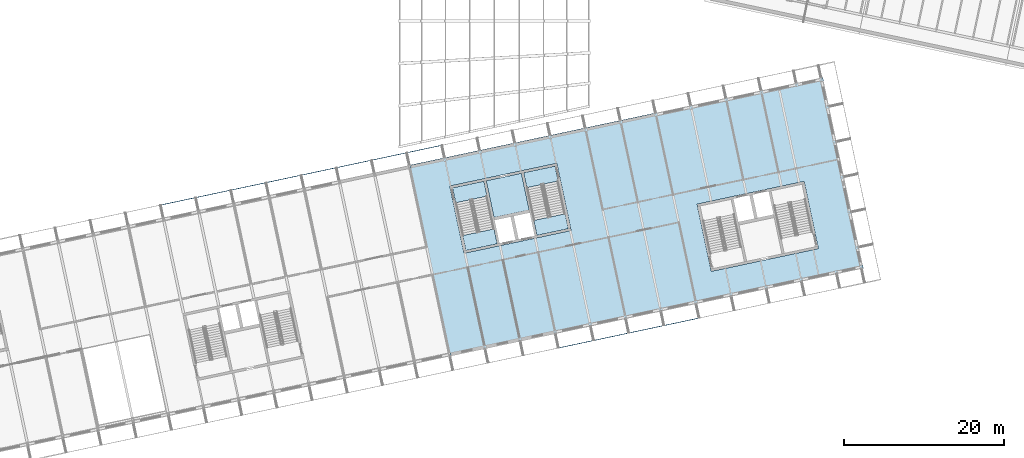
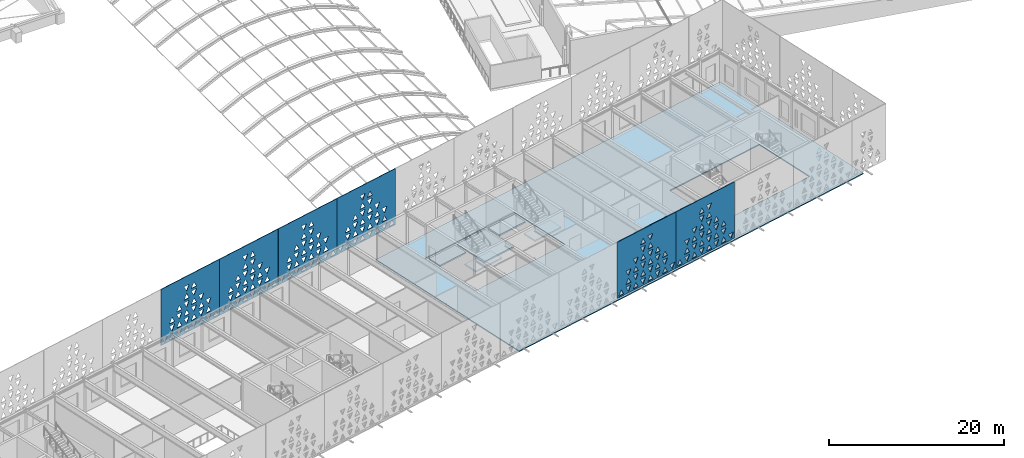
# One storey, part 109 of 196: 6 plates, 6 slabs, 2 elements without a shape of their own.
"""IFC4 building model written with IfcOpenShell, lengths in metres."""

from ifc_helpers import new_model, si_unit, direction, frame, origin, place, context, subcontext, project, spatial, polyline, outline, extrude, material, layer, layer_set, type_object, element, aggregate, save


model = new_model("IFC4")

# Units and contexts
model_context = context("Model", 3, precision=1e-05, world=origin(), true_north=direction((0.0, 1.0)))
body_context = subcontext(model_context, "Body", "Model", "MODEL_VIEW")
ifc_project = project(units=[si_unit("LENGTHUNIT", "METRE"), si_unit("AREAUNIT", "SQUARE_METRE"), si_unit("VOLUMEUNIT", "CUBIC_METRE"), si_unit("PLANEANGLEUNIT", "RADIAN"), si_unit("MASSUNIT", "GRAM", prefix="KILO")], contexts=[model_context])

# Site, building, storey
site_placement = place(None, origin())
site = spatial("IfcSite", under=ifc_project, at=site_placement, CompositionType="ELEMENT")
building_placement = place(site_placement, origin())
building = spatial("IfcBuilding", under=site, at=building_placement, Name="Okhra Congress Centre", CompositionType="ELEMENT")
storey_placement = place(building_placement, frame((0.0, 0.0, 12.0)))
storey = spatial("IfcBuildingStorey", under=building, at=storey_placement, Name="L02", CompositionType="ELEMENT", Elevation=12.0)

# Slabs
ifc_material_1 = material(Name="Concrete C30/37 on profiled steel deck", Category="concrete")
ifc_layer_1 = layer(ifc_material_1, 0.14990234375)
ifc_layer_set_1 = layer_set([ifc_layer_1], Name="Composite floor deck 150 REI 120 C30/37")
slab_type_1 = type_object("IfcSlabType", Name="Composite floor deck 150 REI 120 C30/37", PredefinedType="FLOOR", material=ifc_layer_set_1)
slab_1_placement = place(storey_placement, frame((0.0, 0.0, -0.14990234375)))
element("IfcSlab", 1, at=slab_1_placement, inside=storey, type_object=slab_type_1, Name="Floor slab L02 bay 3", PredefinedType="FLOOR", context=body_context, shape_type="SweptSolid", body=[
    extrude(outline(polyline([(161.6630859375, 72.9697265625), (166.74658203125, 49.053955078125), (218.441650390625, 60.042236328125), (213.3583984375, 83.957763671875), (161.6630859375, 72.9697265625)]), holes=[polyline([(181.855224609375, 64.7890625), (180.067138671875, 73.201171875), (166.66650390625, 70.352783203125), (168.45458984375, 61.940673828125), (181.855224609375, 64.7890625)]), polyline([(199.40185546875, 59.675537109375), (212.802490234375, 62.52392578125), (211.014404296875, 70.93603515625), (197.61376953125, 68.087646484375), (199.40185546875, 59.675537109375)])]), origin(), (0.0, 0.0, 1.0), 0.14990234375),
])
ifc_material_2 = material(Name="Concrete C30/37", Category="concrete")
ifc_layer_2 = layer(ifc_material_2, 0.199951171875)
ifc_layer_set_2 = layer_set([ifc_layer_2], Name="RC floor slab 200 REI 120 C30/37")
slab_type_2 = type_object("IfcSlabType", Name="RC floor slab 200 REI 120 C30/37", PredefinedType="FLOOR", material=ifc_layer_set_2)
slab_2_placement = place(storey_placement, frame((0.0, 0.0, -0.199951171875)))
element("IfcSlab", 2, at=slab_2_placement, inside=storey, type_object=slab_type_2, Name="Stair floor landing 4A L02", PredefinedType="FLOOR", context=body_context, shape_type="SweptSolid", body=[
    extrude(outline(polyline([(167.0166015625, 70.12548828125), (170.93896484375, 70.959228515625), (171.3359375, 69.091064453125), (167.41357421875, 68.25732421875), (167.0166015625, 70.12548828125)])), origin(), (0.0, 0.0, 1.0), 0.199951171875),
])
slab_3_placement = place(storey_placement, frame((0.0, 0.0, -0.199951171875)))
element("IfcSlab", 3, at=slab_3_placement, inside=storey, type_object=slab_type_2, Name="Stair floor landing 4B L02", PredefinedType="FLOOR", context=body_context, shape_type="SweptSolid", body=[
    extrude(outline(polyline([(175.917724609375, 72.017578125), (179.840087890625, 72.851318359375), (180.237060546875, 70.983154296875), (176.314697265625, 70.1494140625), (175.917724609375, 72.017578125)])), origin(), (0.0, 0.0, 1.0), 0.199951171875),
])
slab_4_placement = place(storey_placement, frame((0.0, 0.0, -0.199951171875)))
element("IfcSlab", 4, at=slab_4_placement, inside=storey, type_object=slab_type_2, Name="Riser room floor 4 L02", PredefinedType="FLOOR", context=body_context, shape_type="SweptSolid", body=[
    extrude(outline(polyline([(172.20556640625, 66.41845703125), (176.607421875, 67.35400390625), (175.630126953125, 71.951416015625), (171.228515625, 71.015869140625), (172.20556640625, 66.41845703125)])), origin(), (0.0, 0.0, 1.0), 0.199951171875),
])

# Stair, slab
stair_type = type_object("IfcStairType", Name="Escape stair 1900 wide, 30 risers of 160.0", PredefinedType="HALF_TURN_STAIR", material=ifc_material_2)
stair_1_placement = place(storey_placement, origin())
stair_1 = element("IfcStair", 5, at=stair_1_placement, inside=storey, type_object=stair_type, Name="L02 Escape stair 4A", PredefinedType="HALF_TURN_STAIR")
ifc_layer_3 = layer(ifc_material_2, 0.199951171875)
ifc_layer_set_3 = layer_set([ifc_layer_3], Name="RC stair landing 200 C30/37")
slab_type_3 = type_object("IfcSlabType", Name="RC stair landing 200 C30/37", PredefinedType="LANDING", material=ifc_layer_set_3)
slab_5_placement = place(storey_placement, frame((0.0, 0.0, 2.199951171875)))
slab_5 = element("IfcSlab", 6, at=slab_5_placement, type_object=slab_type_3, Name="BS4A landing 1", PredefinedType="LANDING", context=body_context, shape_type="SweptSolid", body=[
    extrude(outline(polyline([(168.28466796875, 64.158935546875), (172.20703125, 64.99267578125), (172.604248046875, 63.124267578125), (168.681884765625, 62.29052734375), (168.28466796875, 64.158935546875)])), origin(), (0.0, 0.0, 1.0), 0.199951171875),
])
aggregate(stair_1, [slab_5])

stair_2_placement = place(storey_placement, origin())
stair_2 = element("IfcStair", 7, at=stair_2_placement, inside=storey, type_object=stair_type, Name="L02 Escape stair 4B", PredefinedType="HALF_TURN_STAIR")
slab_6_placement = place(storey_placement, frame((0.0, 0.0, 2.199951171875)))
slab_6 = element("IfcSlab", 8, at=slab_6_placement, type_object=slab_type_3, Name="BS4B landing 1", PredefinedType="LANDING", context=body_context, shape_type="SweptSolid", body=[
    extrude(outline(polyline([(177.185791015625, 66.05078125), (181.108154296875, 66.884521484375), (181.50537109375, 65.016357421875), (177.5830078125, 64.1826171875), (177.185791015625, 66.05078125)])), origin(), (0.0, 0.0, 1.0), 0.199951171875),
])
aggregate(stair_2, [slab_6])

# Plates
ifc_material_3 = material(Name="Fired clay terracotta rainscreen panel, deep oxide-red glaze, non-combustible", Category="masonry")
ifc_layer_4 = layer(ifc_material_3, 0.080078125)
ifc_layer_set_4 = layer_set([ifc_layer_4], Name="Terracotta screen panel 8980x7840")
plate_type = type_object("IfcPlateType", Name="Terracotta screen panel 8980x7840", PredefinedType="SHEET", material=ifc_layer_set_4)
plate_1_placement = place(storey_placement, frame((180.28662109375, 50.091796875, 1.949951171875), z_axis=(0.0, 0.0, 1.0), x_axis=(0.978145237251, 0.207922809819, 0.0)))
element("IfcPlate", 9, at=plate_1_placement, inside=storey, type_object=plate_type, Name="Screen panel S15 Tier 2", PredefinedType="SHEET", context=body_context, shape_type="SweptSolid", body=[
    extrude(outline(polyline([(0.0, 0.0), (8.980224609375, 0.0), (8.980224609375, 7.840087890625), (0.0, 7.840087890625), (0.0, 0.0)]), holes=[polyline([(0.176513671875, 0.183837890625), (0.943603515625, 0.183837890625), (0.56005859375, 0.93603515625), (0.176513671875, 0.183837890625)]), polyline([(1.29638671875, 0.93603515625), (1.679931640625, 0.183837890625), (2.0634765625, 0.93603515625), (1.29638671875, 0.93603515625)]), polyline([(2.41650390625, 0.183837890625), (3.18359375, 0.183837890625), (2.800048828125, 0.93603515625), (2.41650390625, 0.183837890625)]), polyline([(3.536376953125, 0.93603515625), (3.919921875, 0.183837890625), (4.3037109375, 0.93603515625), (3.536376953125, 0.93603515625)]), polyline([(4.656494140625, 0.183837890625), (5.423583984375, 0.183837890625), (5.0400390625, 0.93603515625), (4.656494140625, 0.183837890625)]), polyline([(5.7763671875, 0.93603515625), (6.159912109375, 0.183837890625), (6.543701171875, 0.93603515625), (5.7763671875, 0.93603515625)]), polyline([(6.896484375, 0.183837890625), (7.66357421875, 0.183837890625), (7.280029296875, 0.93603515625), (6.896484375, 0.183837890625)]), polyline([(8.016357421875, 0.93603515625), (8.39990234375, 0.183837890625), (8.78369140625, 0.93603515625), (8.016357421875, 0.93603515625)]), polyline([(1.29638671875, 1.303955078125), (2.0634765625, 1.303955078125), (1.679931640625, 2.05615234375), (1.29638671875, 1.303955078125)]), polyline([(2.41650390625, 2.05615234375), (2.800048828125, 1.303955078125), (3.18359375, 2.05615234375), (2.41650390625, 2.05615234375)]), polyline([(3.536376953125, 1.303955078125), (4.3037109375, 1.303955078125), (3.919921875, 2.05615234375), (3.536376953125, 1.303955078125)]), polyline([(4.656494140625, 2.05615234375), (5.0400390625, 1.303955078125), (5.423583984375, 2.05615234375), (4.656494140625, 2.05615234375)]), polyline([(5.7763671875, 1.303955078125), (6.543701171875, 1.303955078125), (6.159912109375, 2.05615234375), (5.7763671875, 1.303955078125)]), polyline([(6.896484375, 2.05615234375), (7.280029296875, 1.303955078125), (7.66357421875, 2.05615234375), (6.896484375, 2.05615234375)]), polyline([(1.29638671875, 3.176025390625), (1.679931640625, 2.423828125), (2.0634765625, 3.176025390625), (1.29638671875, 3.176025390625)]), polyline([(2.41650390625, 2.423828125), (3.18359375, 2.423828125), (2.800048828125, 3.176025390625), (2.41650390625, 2.423828125)]), polyline([(3.536376953125, 3.176025390625), (3.919921875, 2.423828125), (4.3037109375, 3.176025390625), (3.536376953125, 3.176025390625)]), polyline([(4.656494140625, 2.423828125), (5.423583984375, 2.423828125), (5.0400390625, 3.176025390625), (4.656494140625, 2.423828125)]), polyline([(5.7763671875, 3.176025390625), (6.159912109375, 2.423828125), (6.543701171875, 3.176025390625), (5.7763671875, 3.176025390625)]), polyline([(6.896484375, 2.423828125), (7.66357421875, 2.423828125), (7.280029296875, 3.176025390625), (6.896484375, 2.423828125)]), polyline([(2.41650390625, 4.296142578125), (2.800048828125, 3.5439453125), (3.18359375, 4.296142578125), (2.41650390625, 4.296142578125)]), polyline([(3.536376953125, 3.5439453125), (4.3037109375, 3.5439453125), (3.919921875, 4.296142578125), (3.536376953125, 3.5439453125)]), polyline([(4.656494140625, 4.296142578125), (5.0400390625, 3.5439453125), (5.423583984375, 4.296142578125), (4.656494140625, 4.296142578125)]), polyline([(5.7763671875, 3.5439453125), (6.543701171875, 3.5439453125), (6.159912109375, 4.296142578125), (5.7763671875, 3.5439453125)]), polyline([(3.536376953125, 5.416015625), (3.919921875, 4.663818359375), (4.3037109375, 5.416015625), (3.536376953125, 5.416015625)]), polyline([(4.656494140625, 4.663818359375), (5.423583984375, 4.663818359375), (5.0400390625, 5.416015625), (4.656494140625, 4.663818359375)]), polyline([(3.536376953125, 5.783935546875), (4.3037109375, 5.783935546875), (3.919921875, 6.5361328125), (3.536376953125, 5.783935546875)]), polyline([(4.656494140625, 6.5361328125), (5.0400390625, 5.783935546875), (5.423583984375, 6.5361328125), (4.656494140625, 6.5361328125)])]), frame((0.0, 0.0400390625, 0.0), z_axis=(0.0, -1.0, 0.0), x_axis=(1.0, 0.0, 0.0)), (0.0, 0.0, 1.0), 0.080078125),
])
plate_2_placement = place(storey_placement, frame((189.090087890625, 51.963134765625, 1.949951171875), z_axis=(0.0, 0.0, 1.0), x_axis=(0.978149591018, 0.207902327047, 0.0)))
element("IfcPlate", 10, at=plate_2_placement, inside=storey, type_object=plate_type, Name="Screen panel S16 Tier 2", PredefinedType="SHEET", context=body_context, shape_type="SweptSolid", body=[
    extrude(outline(polyline([(0.0, 0.0), (8.97998046875, 0.0), (8.97998046875, 7.840087890625), (0.0, 7.840087890625), (0.0, 0.0)]), holes=[polyline([(0.176513671875, 0.183837890625), (0.943603515625, 0.183837890625), (0.56005859375, 0.93603515625), (0.176513671875, 0.183837890625)]), polyline([(1.29638671875, 0.93603515625), (1.679931640625, 0.183837890625), (2.0634765625, 0.93603515625), (1.29638671875, 0.93603515625)]), polyline([(2.41650390625, 0.183837890625), (3.18359375, 0.183837890625), (2.800048828125, 0.93603515625), (2.41650390625, 0.183837890625)]), polyline([(3.536376953125, 0.93603515625), (3.919921875, 0.183837890625), (4.3037109375, 0.93603515625), (3.536376953125, 0.93603515625)]), polyline([(4.656494140625, 0.183837890625), (5.423583984375, 0.183837890625), (5.0400390625, 0.93603515625), (4.656494140625, 0.183837890625)]), polyline([(5.7763671875, 0.93603515625), (6.159912109375, 0.183837890625), (6.543701171875, 0.93603515625), (5.7763671875, 0.93603515625)]), polyline([(6.896484375, 0.183837890625), (7.66357421875, 0.183837890625), (7.280029296875, 0.93603515625), (6.896484375, 0.183837890625)]), polyline([(8.016357421875, 0.93603515625), (8.39990234375, 0.183837890625), (8.78369140625, 0.93603515625), (8.016357421875, 0.93603515625)]), polyline([(1.29638671875, 1.303955078125), (2.0634765625, 1.303955078125), (1.679931640625, 2.05615234375), (1.29638671875, 1.303955078125)]), polyline([(2.41650390625, 2.05615234375), (2.800048828125, 1.303955078125), (3.18359375, 2.05615234375), (2.41650390625, 2.05615234375)]), polyline([(3.536376953125, 1.303955078125), (4.3037109375, 1.303955078125), (3.919921875, 2.05615234375), (3.536376953125, 1.303955078125)]), polyline([(4.656494140625, 2.05615234375), (5.0400390625, 1.303955078125), (5.423583984375, 2.05615234375), (4.656494140625, 2.05615234375)]), polyline([(5.7763671875, 1.303955078125), (6.543701171875, 1.303955078125), (6.159912109375, 2.05615234375), (5.7763671875, 1.303955078125)]), polyline([(6.896484375, 2.05615234375), (7.280029296875, 1.303955078125), (7.66357421875, 2.05615234375), (6.896484375, 2.05615234375)]), polyline([(1.29638671875, 3.176025390625), (1.679931640625, 2.423828125), (2.0634765625, 3.176025390625), (1.29638671875, 3.176025390625)]), polyline([(2.41650390625, 2.423828125), (3.18359375, 2.423828125), (2.800048828125, 3.176025390625), (2.41650390625, 2.423828125)]), polyline([(3.536376953125, 3.176025390625), (3.919921875, 2.423828125), (4.3037109375, 3.176025390625), (3.536376953125, 3.176025390625)]), polyline([(4.656494140625, 2.423828125), (5.423583984375, 2.423828125), (5.0400390625, 3.176025390625), (4.656494140625, 2.423828125)]), polyline([(5.7763671875, 3.176025390625), (6.159912109375, 2.423828125), (6.543701171875, 3.176025390625), (5.7763671875, 3.176025390625)]), polyline([(6.896484375, 2.423828125), (7.66357421875, 2.423828125), (7.280029296875, 3.176025390625), (6.896484375, 2.423828125)]), polyline([(2.41650390625, 4.296142578125), (2.800048828125, 3.5439453125), (3.18359375, 4.296142578125), (2.41650390625, 4.296142578125)]), polyline([(3.536376953125, 3.5439453125), (4.3037109375, 3.5439453125), (3.919921875, 4.296142578125), (3.536376953125, 3.5439453125)]), polyline([(4.656494140625, 4.296142578125), (5.0400390625, 3.5439453125), (5.423583984375, 4.296142578125), (4.656494140625, 4.296142578125)]), polyline([(5.7763671875, 3.5439453125), (6.543701171875, 3.5439453125), (6.159912109375, 4.296142578125), (5.7763671875, 3.5439453125)]), polyline([(3.536376953125, 5.416015625), (3.919921875, 4.663818359375), (4.3037109375, 5.416015625), (3.536376953125, 5.416015625)]), polyline([(4.656494140625, 4.663818359375), (5.423583984375, 4.663818359375), (5.0400390625, 5.416015625), (4.656494140625, 4.663818359375)]), polyline([(3.536376953125, 5.783935546875), (4.3037109375, 5.783935546875), (3.919921875, 6.5361328125), (3.536376953125, 5.783935546875)]), polyline([(4.656494140625, 6.5361328125), (5.0400390625, 5.783935546875), (5.423583984375, 6.5361328125), (4.656494140625, 6.5361328125)])]), frame((0.0, 0.0400390625, 0.0), z_axis=(0.0, -1.0, 0.0), x_axis=(1.0, 0.0, 0.0)), (0.0, 0.0, 1.0), 0.080078125),
])
plate_3_placement = place(storey_placement, frame((165.673583984375, 75.457763671875, 1.949951171875), z_axis=(0.0, 0.0, 1.0), x_axis=(-0.978150766104, -0.207896798366, 0.0)))
element("IfcPlate", 11, at=plate_3_placement, inside=storey, type_object=plate_type, Name="Screen panel N7 Tier 2", PredefinedType="SHEET", context=body_context, shape_type="SweptSolid", body=[
    extrude(outline(polyline([(0.0, 0.0), (8.980224609375, 0.0), (8.980224609375, 7.840087890625), (0.0, 7.840087890625), (0.0, 0.0)]), holes=[polyline([(0.176513671875, 0.183837890625), (0.943603515625, 0.183837890625), (0.56005859375, 0.93603515625), (0.176513671875, 0.183837890625)]), polyline([(1.29638671875, 0.93603515625), (1.679931640625, 0.183837890625), (2.0634765625, 0.93603515625), (1.29638671875, 0.93603515625)]), polyline([(2.41650390625, 0.183837890625), (3.18359375, 0.183837890625), (2.800048828125, 0.93603515625), (2.41650390625, 0.183837890625)]), polyline([(3.536376953125, 0.93603515625), (3.919921875, 0.183837890625), (4.3037109375, 0.93603515625), (3.536376953125, 0.93603515625)]), polyline([(4.656494140625, 0.183837890625), (5.423583984375, 0.183837890625), (5.0400390625, 0.93603515625), (4.656494140625, 0.183837890625)]), polyline([(5.7763671875, 0.93603515625), (6.159912109375, 0.183837890625), (6.543701171875, 0.93603515625), (5.7763671875, 0.93603515625)]), polyline([(6.896484375, 0.183837890625), (7.66357421875, 0.183837890625), (7.280029296875, 0.93603515625), (6.896484375, 0.183837890625)]), polyline([(8.016357421875, 0.93603515625), (8.39990234375, 0.183837890625), (8.78369140625, 0.93603515625), (8.016357421875, 0.93603515625)]), polyline([(1.29638671875, 1.303955078125), (2.0634765625, 1.303955078125), (1.679931640625, 2.05615234375), (1.29638671875, 1.303955078125)]), polyline([(2.41650390625, 2.05615234375), (2.800048828125, 1.303955078125), (3.18359375, 2.05615234375), (2.41650390625, 2.05615234375)]), polyline([(3.536376953125, 1.303955078125), (4.3037109375, 1.303955078125), (3.919921875, 2.05615234375), (3.536376953125, 1.303955078125)]), polyline([(4.656494140625, 2.05615234375), (5.0400390625, 1.303955078125), (5.423583984375, 2.05615234375), (4.656494140625, 2.05615234375)]), polyline([(5.7763671875, 1.303955078125), (6.543701171875, 1.303955078125), (6.159912109375, 2.05615234375), (5.7763671875, 1.303955078125)]), polyline([(6.896484375, 2.05615234375), (7.280029296875, 1.303955078125), (7.66357421875, 2.05615234375), (6.896484375, 2.05615234375)]), polyline([(1.29638671875, 3.176025390625), (1.679931640625, 2.423828125), (2.0634765625, 3.176025390625), (1.29638671875, 3.176025390625)]), polyline([(2.41650390625, 2.423828125), (3.18359375, 2.423828125), (2.800048828125, 3.176025390625), (2.41650390625, 2.423828125)]), polyline([(3.536376953125, 3.176025390625), (3.919921875, 2.423828125), (4.3037109375, 3.176025390625), (3.536376953125, 3.176025390625)]), polyline([(4.656494140625, 2.423828125), (5.423583984375, 2.423828125), (5.0400390625, 3.176025390625), (4.656494140625, 2.423828125)]), polyline([(5.7763671875, 3.176025390625), (6.159912109375, 2.423828125), (6.543701171875, 3.176025390625), (5.7763671875, 3.176025390625)]), polyline([(6.896484375, 2.423828125), (7.66357421875, 2.423828125), (7.280029296875, 3.176025390625), (6.896484375, 2.423828125)]), polyline([(2.41650390625, 4.296142578125), (2.800048828125, 3.5439453125), (3.18359375, 4.296142578125), (2.41650390625, 4.296142578125)]), polyline([(3.536376953125, 3.5439453125), (4.3037109375, 3.5439453125), (3.919921875, 4.296142578125), (3.536376953125, 3.5439453125)]), polyline([(4.656494140625, 4.296142578125), (5.0400390625, 3.5439453125), (5.423583984375, 4.296142578125), (4.656494140625, 4.296142578125)]), polyline([(5.7763671875, 3.5439453125), (6.543701171875, 3.5439453125), (6.159912109375, 4.296142578125), (5.7763671875, 3.5439453125)]), polyline([(3.536376953125, 5.416015625), (3.919921875, 4.663818359375), (4.3037109375, 5.416015625), (3.536376953125, 5.416015625)]), polyline([(4.656494140625, 4.663818359375), (5.423583984375, 4.663818359375), (5.0400390625, 5.416015625), (4.656494140625, 4.663818359375)]), polyline([(3.536376953125, 5.783935546875), (4.3037109375, 5.783935546875), (3.919921875, 6.5361328125), (3.536376953125, 5.783935546875)]), polyline([(4.656494140625, 6.5361328125), (5.0400390625, 5.783935546875), (5.423583984375, 6.5361328125), (4.656494140625, 6.5361328125)])]), frame((0.0, 0.0400390625, 0.0), z_axis=(0.0, -1.0, 0.0), x_axis=(1.0, 0.0, 0.0)), (0.0, 0.0, 1.0), 0.080078125),
])
plate_4_placement = place(storey_placement, frame((156.8701171875, 73.586669921875, 1.949951171875), z_axis=(0.0, 0.0, 1.0), x_axis=(-0.978149591018, -0.207902327047, 0.0)))
element("IfcPlate", 12, at=plate_4_placement, inside=storey, type_object=plate_type, Name="Screen panel N8 Tier 2", PredefinedType="SHEET", context=body_context, shape_type="SweptSolid", body=[
    extrude(outline(polyline([(0.0, 0.0), (8.97998046875, 0.0), (8.97998046875, 7.840087890625), (0.0, 7.840087890625), (0.0, 0.0)]), holes=[polyline([(0.176513671875, 0.183837890625), (0.943603515625, 0.183837890625), (0.56005859375, 0.93603515625), (0.176513671875, 0.183837890625)]), polyline([(1.29638671875, 0.93603515625), (1.679931640625, 0.183837890625), (2.0634765625, 0.93603515625), (1.29638671875, 0.93603515625)]), polyline([(2.41650390625, 0.183837890625), (3.18359375, 0.183837890625), (2.800048828125, 0.93603515625), (2.41650390625, 0.183837890625)]), polyline([(3.536376953125, 0.93603515625), (3.919921875, 0.183837890625), (4.3037109375, 0.93603515625), (3.536376953125, 0.93603515625)]), polyline([(4.656494140625, 0.183837890625), (5.423583984375, 0.183837890625), (5.0400390625, 0.93603515625), (4.656494140625, 0.183837890625)]), polyline([(5.7763671875, 0.93603515625), (6.159912109375, 0.183837890625), (6.543701171875, 0.93603515625), (5.7763671875, 0.93603515625)]), polyline([(6.896484375, 0.183837890625), (7.66357421875, 0.183837890625), (7.280029296875, 0.93603515625), (6.896484375, 0.183837890625)]), polyline([(8.016357421875, 0.93603515625), (8.39990234375, 0.183837890625), (8.78369140625, 0.93603515625), (8.016357421875, 0.93603515625)]), polyline([(1.29638671875, 1.303955078125), (2.0634765625, 1.303955078125), (1.679931640625, 2.05615234375), (1.29638671875, 1.303955078125)]), polyline([(2.41650390625, 2.05615234375), (2.800048828125, 1.303955078125), (3.18359375, 2.05615234375), (2.41650390625, 2.05615234375)]), polyline([(3.536376953125, 1.303955078125), (4.3037109375, 1.303955078125), (3.919921875, 2.05615234375), (3.536376953125, 1.303955078125)]), polyline([(4.656494140625, 2.05615234375), (5.0400390625, 1.303955078125), (5.423583984375, 2.05615234375), (4.656494140625, 2.05615234375)]), polyline([(5.7763671875, 1.303955078125), (6.543701171875, 1.303955078125), (6.159912109375, 2.05615234375), (5.7763671875, 1.303955078125)]), polyline([(6.896484375, 2.05615234375), (7.280029296875, 1.303955078125), (7.66357421875, 2.05615234375), (6.896484375, 2.05615234375)]), polyline([(1.29638671875, 3.176025390625), (1.679931640625, 2.423828125), (2.0634765625, 3.176025390625), (1.29638671875, 3.176025390625)]), polyline([(2.41650390625, 2.423828125), (3.18359375, 2.423828125), (2.800048828125, 3.176025390625), (2.41650390625, 2.423828125)]), polyline([(3.536376953125, 3.176025390625), (3.919921875, 2.423828125), (4.3037109375, 3.176025390625), (3.536376953125, 3.176025390625)]), polyline([(4.656494140625, 2.423828125), (5.423583984375, 2.423828125), (5.0400390625, 3.176025390625), (4.656494140625, 2.423828125)]), polyline([(5.7763671875, 3.176025390625), (6.159912109375, 2.423828125), (6.543701171875, 3.176025390625), (5.7763671875, 3.176025390625)]), polyline([(6.896484375, 2.423828125), (7.66357421875, 2.423828125), (7.280029296875, 3.176025390625), (6.896484375, 2.423828125)]), polyline([(2.41650390625, 4.296142578125), (2.800048828125, 3.5439453125), (3.18359375, 4.296142578125), (2.41650390625, 4.296142578125)]), polyline([(3.536376953125, 3.5439453125), (4.3037109375, 3.5439453125), (3.919921875, 4.296142578125), (3.536376953125, 3.5439453125)]), polyline([(4.656494140625, 4.296142578125), (5.0400390625, 3.5439453125), (5.423583984375, 4.296142578125), (4.656494140625, 4.296142578125)]), polyline([(5.7763671875, 3.5439453125), (6.543701171875, 3.5439453125), (6.159912109375, 4.296142578125), (5.7763671875, 3.5439453125)]), polyline([(3.536376953125, 5.416015625), (3.919921875, 4.663818359375), (4.3037109375, 5.416015625), (3.536376953125, 5.416015625)]), polyline([(4.656494140625, 4.663818359375), (5.423583984375, 4.663818359375), (5.0400390625, 5.416015625), (4.656494140625, 4.663818359375)]), polyline([(3.536376953125, 5.783935546875), (4.3037109375, 5.783935546875), (3.919921875, 6.5361328125), (3.536376953125, 5.783935546875)]), polyline([(4.656494140625, 6.5361328125), (5.0400390625, 5.783935546875), (5.423583984375, 6.5361328125), (4.656494140625, 6.5361328125)])]), frame((0.0, 0.0400390625, 0.0), z_axis=(0.0, -1.0, 0.0), x_axis=(1.0, 0.0, 0.0)), (0.0, 0.0, 1.0), 0.080078125),
])
plate_5_placement = place(storey_placement, frame((148.06689453125, 71.715576171875, 1.949951171875), z_axis=(0.0, 0.0, 1.0), x_axis=(-0.978145237251, -0.207922809819, 0.0)))
element("IfcPlate", 13, at=plate_5_placement, inside=storey, type_object=plate_type, Name="Screen panel N9 Tier 2", PredefinedType="SHEET", context=body_context, shape_type="SweptSolid", body=[
    extrude(outline(polyline([(0.0, 0.0), (8.980224609375, 0.0), (8.980224609375, 7.840087890625), (0.0, 7.840087890625), (0.0, 0.0)]), holes=[polyline([(0.176513671875, 0.183837890625), (0.943603515625, 0.183837890625), (0.56005859375, 0.93603515625), (0.176513671875, 0.183837890625)]), polyline([(1.29638671875, 0.93603515625), (1.679931640625, 0.183837890625), (2.0634765625, 0.93603515625), (1.29638671875, 0.93603515625)]), polyline([(2.41650390625, 0.183837890625), (3.18359375, 0.183837890625), (2.800048828125, 0.93603515625), (2.41650390625, 0.183837890625)]), polyline([(3.536376953125, 0.93603515625), (3.919921875, 0.183837890625), (4.3037109375, 0.93603515625), (3.536376953125, 0.93603515625)]), polyline([(4.656494140625, 0.183837890625), (5.423583984375, 0.183837890625), (5.0400390625, 0.93603515625), (4.656494140625, 0.183837890625)]), polyline([(5.7763671875, 0.93603515625), (6.159912109375, 0.183837890625), (6.543701171875, 0.93603515625), (5.7763671875, 0.93603515625)]), polyline([(6.896484375, 0.183837890625), (7.66357421875, 0.183837890625), (7.280029296875, 0.93603515625), (6.896484375, 0.183837890625)]), polyline([(8.016357421875, 0.93603515625), (8.39990234375, 0.183837890625), (8.78369140625, 0.93603515625), (8.016357421875, 0.93603515625)]), polyline([(1.29638671875, 1.303955078125), (2.0634765625, 1.303955078125), (1.679931640625, 2.05615234375), (1.29638671875, 1.303955078125)]), polyline([(2.41650390625, 2.05615234375), (2.800048828125, 1.303955078125), (3.18359375, 2.05615234375), (2.41650390625, 2.05615234375)]), polyline([(3.536376953125, 1.303955078125), (4.3037109375, 1.303955078125), (3.919921875, 2.05615234375), (3.536376953125, 1.303955078125)]), polyline([(4.656494140625, 2.05615234375), (5.0400390625, 1.303955078125), (5.423583984375, 2.05615234375), (4.656494140625, 2.05615234375)]), polyline([(5.7763671875, 1.303955078125), (6.543701171875, 1.303955078125), (6.159912109375, 2.05615234375), (5.7763671875, 1.303955078125)]), polyline([(6.896484375, 2.05615234375), (7.280029296875, 1.303955078125), (7.66357421875, 2.05615234375), (6.896484375, 2.05615234375)]), polyline([(1.29638671875, 3.176025390625), (1.679931640625, 2.423828125), (2.0634765625, 3.176025390625), (1.29638671875, 3.176025390625)]), polyline([(2.41650390625, 2.423828125), (3.18359375, 2.423828125), (2.800048828125, 3.176025390625), (2.41650390625, 2.423828125)]), polyline([(3.536376953125, 3.176025390625), (3.919921875, 2.423828125), (4.3037109375, 3.176025390625), (3.536376953125, 3.176025390625)]), polyline([(4.656494140625, 2.423828125), (5.423583984375, 2.423828125), (5.0400390625, 3.176025390625), (4.656494140625, 2.423828125)]), polyline([(5.7763671875, 3.176025390625), (6.159912109375, 2.423828125), (6.543701171875, 3.176025390625), (5.7763671875, 3.176025390625)]), polyline([(6.896484375, 2.423828125), (7.66357421875, 2.423828125), (7.280029296875, 3.176025390625), (6.896484375, 2.423828125)]), polyline([(2.41650390625, 4.296142578125), (2.800048828125, 3.5439453125), (3.18359375, 4.296142578125), (2.41650390625, 4.296142578125)]), polyline([(3.536376953125, 3.5439453125), (4.3037109375, 3.5439453125), (3.919921875, 4.296142578125), (3.536376953125, 3.5439453125)]), polyline([(4.656494140625, 4.296142578125), (5.0400390625, 3.5439453125), (5.423583984375, 4.296142578125), (4.656494140625, 4.296142578125)]), polyline([(5.7763671875, 3.5439453125), (6.543701171875, 3.5439453125), (6.159912109375, 4.296142578125), (5.7763671875, 3.5439453125)]), polyline([(3.536376953125, 5.416015625), (3.919921875, 4.663818359375), (4.3037109375, 5.416015625), (3.536376953125, 5.416015625)]), polyline([(4.656494140625, 4.663818359375), (5.423583984375, 4.663818359375), (5.0400390625, 5.416015625), (4.656494140625, 4.663818359375)]), polyline([(3.536376953125, 5.783935546875), (4.3037109375, 5.783935546875), (3.919921875, 6.5361328125), (3.536376953125, 5.783935546875)]), polyline([(4.656494140625, 6.5361328125), (5.0400390625, 5.783935546875), (5.423583984375, 6.5361328125), (4.656494140625, 6.5361328125)])]), frame((0.0, 0.0400390625, 0.0), z_axis=(0.0, -1.0, 0.0), x_axis=(1.0, 0.0, 0.0)), (0.0, 0.0, 1.0), 0.080078125),
])
plate_6_placement = place(storey_placement, frame((139.263427734375, 69.84423828125, 1.949951171875), z_axis=(0.0, 0.0, 1.0), x_axis=(-0.978149591018, -0.207902327047, 0.0)))
element("IfcPlate", 14, at=plate_6_placement, inside=storey, type_object=plate_type, Name="Screen panel N10 Tier 2", PredefinedType="SHEET", context=body_context, shape_type="SweptSolid", body=[
    extrude(outline(polyline([(0.0, 0.0), (8.97998046875, 0.0), (8.97998046875, 7.840087890625), (0.0, 7.840087890625), (0.0, 0.0)]), holes=[polyline([(0.176513671875, 0.183837890625), (0.943603515625, 0.183837890625), (0.56005859375, 0.93603515625), (0.176513671875, 0.183837890625)]), polyline([(1.29638671875, 0.93603515625), (1.679931640625, 0.183837890625), (2.0634765625, 0.93603515625), (1.29638671875, 0.93603515625)]), polyline([(2.41650390625, 0.183837890625), (3.18359375, 0.183837890625), (2.800048828125, 0.93603515625), (2.41650390625, 0.183837890625)]), polyline([(3.536376953125, 0.93603515625), (3.919921875, 0.183837890625), (4.3037109375, 0.93603515625), (3.536376953125, 0.93603515625)]), polyline([(4.656494140625, 0.183837890625), (5.423583984375, 0.183837890625), (5.0400390625, 0.93603515625), (4.656494140625, 0.183837890625)]), polyline([(5.7763671875, 0.93603515625), (6.159912109375, 0.183837890625), (6.543701171875, 0.93603515625), (5.7763671875, 0.93603515625)]), polyline([(6.896484375, 0.183837890625), (7.66357421875, 0.183837890625), (7.280029296875, 0.93603515625), (6.896484375, 0.183837890625)]), polyline([(8.016357421875, 0.93603515625), (8.39990234375, 0.183837890625), (8.78369140625, 0.93603515625), (8.016357421875, 0.93603515625)]), polyline([(1.29638671875, 1.303955078125), (2.0634765625, 1.303955078125), (1.679931640625, 2.05615234375), (1.29638671875, 1.303955078125)]), polyline([(2.41650390625, 2.05615234375), (2.800048828125, 1.303955078125), (3.18359375, 2.05615234375), (2.41650390625, 2.05615234375)]), polyline([(3.536376953125, 1.303955078125), (4.3037109375, 1.303955078125), (3.919921875, 2.05615234375), (3.536376953125, 1.303955078125)]), polyline([(4.656494140625, 2.05615234375), (5.0400390625, 1.303955078125), (5.423583984375, 2.05615234375), (4.656494140625, 2.05615234375)]), polyline([(5.7763671875, 1.303955078125), (6.543701171875, 1.303955078125), (6.159912109375, 2.05615234375), (5.7763671875, 1.303955078125)]), polyline([(6.896484375, 2.05615234375), (7.280029296875, 1.303955078125), (7.66357421875, 2.05615234375), (6.896484375, 2.05615234375)]), polyline([(1.29638671875, 3.176025390625), (1.679931640625, 2.423828125), (2.0634765625, 3.176025390625), (1.29638671875, 3.176025390625)]), polyline([(2.41650390625, 2.423828125), (3.18359375, 2.423828125), (2.800048828125, 3.176025390625), (2.41650390625, 2.423828125)]), polyline([(3.536376953125, 3.176025390625), (3.919921875, 2.423828125), (4.3037109375, 3.176025390625), (3.536376953125, 3.176025390625)]), polyline([(4.656494140625, 2.423828125), (5.423583984375, 2.423828125), (5.0400390625, 3.176025390625), (4.656494140625, 2.423828125)]), polyline([(5.7763671875, 3.176025390625), (6.159912109375, 2.423828125), (6.543701171875, 3.176025390625), (5.7763671875, 3.176025390625)]), polyline([(6.896484375, 2.423828125), (7.66357421875, 2.423828125), (7.280029296875, 3.176025390625), (6.896484375, 2.423828125)]), polyline([(2.41650390625, 4.296142578125), (2.800048828125, 3.5439453125), (3.18359375, 4.296142578125), (2.41650390625, 4.296142578125)]), polyline([(3.536376953125, 3.5439453125), (4.3037109375, 3.5439453125), (3.919921875, 4.296142578125), (3.536376953125, 3.5439453125)]), polyline([(4.656494140625, 4.296142578125), (5.0400390625, 3.5439453125), (5.423583984375, 4.296142578125), (4.656494140625, 4.296142578125)]), polyline([(5.7763671875, 3.5439453125), (6.543701171875, 3.5439453125), (6.159912109375, 4.296142578125), (5.7763671875, 3.5439453125)]), polyline([(3.536376953125, 5.416015625), (3.919921875, 4.663818359375), (4.3037109375, 5.416015625), (3.536376953125, 5.416015625)]), polyline([(4.656494140625, 4.663818359375), (5.423583984375, 4.663818359375), (5.0400390625, 5.416015625), (4.656494140625, 4.663818359375)]), polyline([(3.536376953125, 5.783935546875), (4.3037109375, 5.783935546875), (3.919921875, 6.5361328125), (3.536376953125, 5.783935546875)]), polyline([(4.656494140625, 6.5361328125), (5.0400390625, 5.783935546875), (5.423583984375, 6.5361328125), (4.656494140625, 6.5361328125)])]), frame((0.0, 0.0400390625, 0.0), z_axis=(0.0, -1.0, 0.0), x_axis=(1.0, 0.0, 0.0)), (0.0, 0.0, 1.0), 0.080078125),
])

save(model, "model.ifc")
